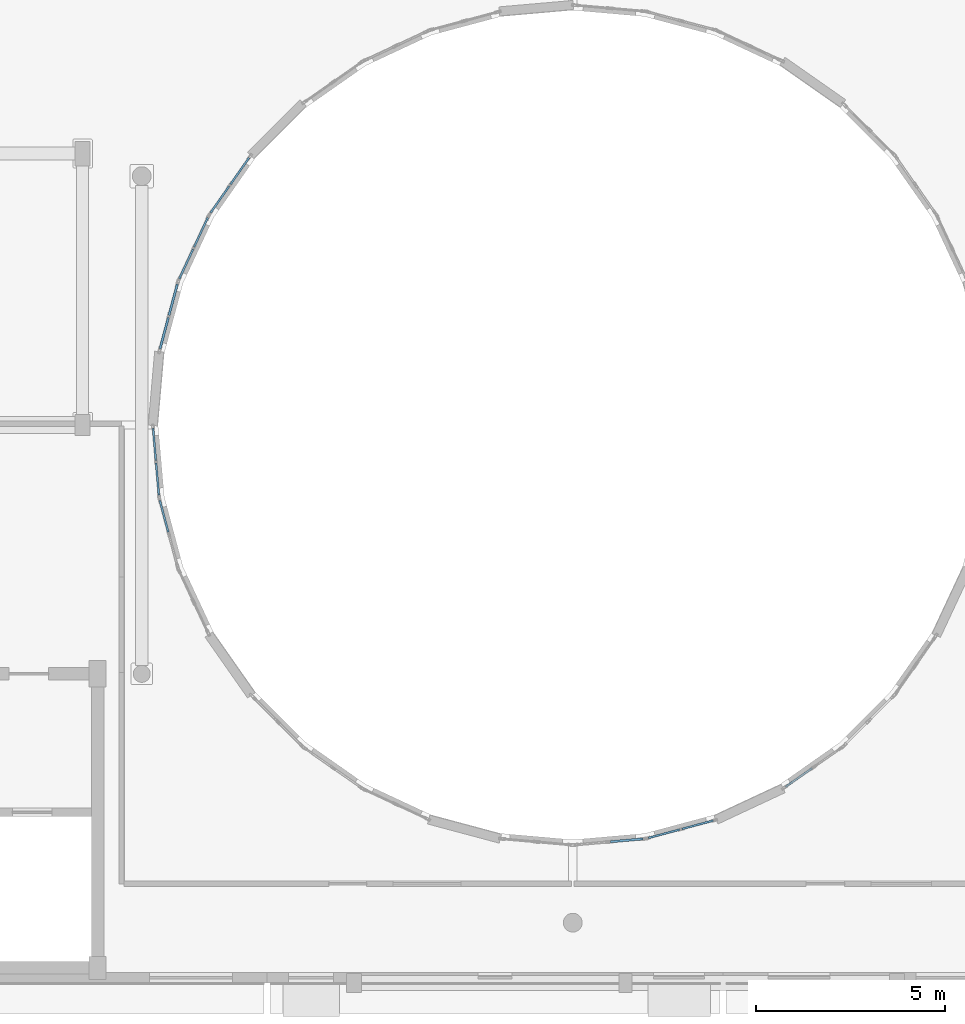
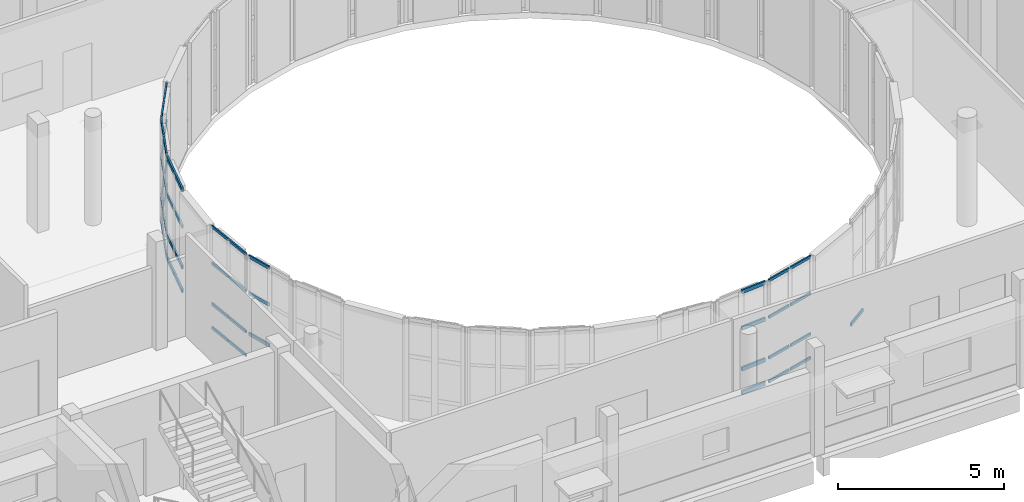
# One storey, part 53 of 105: 48 members, 8 elements without a shape of their own.
"""IFC4 building model written with IfcOpenShell, lengths in metres."""

import ifcopenshell
import ifcopenshell.guid

model = None  # the IFC model being written
_history = None  # IfcOwnerHistory: only IFC2X3 demands one
_inside = {}  # id of a spatial element -> (the spatial element, [elements in it])
_under = {}  # id of a project, library or spatial element -> (it, [spatial elements below it])
_declared = {}  # id of a project -> (the project, [libraries it declares])
_typed = {}  # id of a type object -> (the type object, [elements of that type])
_made_of = {}  # id of a material, layer set ... -> (it, [elements and type objects made of it])


def new_model(schema):
    """Start an empty IFC model of exactly this schema.

    Asked for "IFC4X3", IfcOpenShell would pick the latest addendum, in which some entities
    have other attributes; the version numbers below select the first issue.
    IFC2X3 requires an IfcOwnerHistory on every rooted entity: one is made here for all.
    """
    global model, _history
    if schema == "IFC4X3":
        model = ifcopenshell.file(schema_version=(4, 3, 0, 0))
    else:
        model = ifcopenshell.file(schema=schema)
    _inside.clear()
    _under.clear()
    _declared.clear()
    _typed.clear()
    _made_of.clear()
    _history = None
    if model.schema == "IFC2X3":
        org = make("IfcOrganization", Name="unknown")
        user = make(
            "IfcPersonAndOrganization",
            ThePerson=make("IfcPerson", FamilyName="unknown"),
            TheOrganization=org,
        )
        app = make(
            "IfcApplication",
            ApplicationDeveloper=org,
            Version="unknown",
            ApplicationFullName="unknown",
            ApplicationIdentifier="unknown",
        )
        _history = make(
            "IfcOwnerHistory",
            OwningUser=user,
            OwningApplication=app,
            ChangeAction="ADDED",
            CreationDate=0,
        )
    return model


def make(cls, **values):
    """One entity of the class cls with the attributes given. An attribute that is None is left unset."""
    return model.create_entity(
        cls, **{name: value for name, value in values.items() if value is not None}
    )


def rooted(cls, **values):
    """An entity with a GlobalId (a new one), such as an element, a storey or a relation."""
    return make(cls, GlobalId=ifcopenshell.guid.new(), OwnerHistory=_history, **values)


def si_unit(unit_type, name, prefix=None):
    """IfcSIUnit, for example si_unit("LENGTHUNIT", "METRE", prefix="MILLI")."""
    return make("IfcSIUnit", UnitType=unit_type, Prefix=prefix, Name=name)


def assignment(units):
    """IfcUnitAssignment: the units of a project."""
    return None if units is None else make("IfcUnitAssignment", Units=units)


def point(xyz):
    """IfcCartesianPoint."""
    return None if xyz is None else make("IfcCartesianPoint", Coordinates=xyz)


def direction(xyz):
    """IfcDirection."""
    return None if xyz is None else make("IfcDirection", DirectionRatios=xyz)


def frame(location, z_axis=None, x_axis=None):
    """IfcAxis2Placement3D, a coordinate frame: its origin and axes. An axis left out is left unset."""
    return make(
        "IfcAxis2Placement3D",
        Location=point(location),
        Axis=direction(z_axis),
        RefDirection=direction(x_axis),
    )


def frame_2d(location, x_axis=None):
    """IfcAxis2Placement2D, a coordinate frame in the plane: its origin and x axis."""
    return make(
        "IfcAxis2Placement2D", Location=point(location), RefDirection=direction(x_axis)
    )


def origin():
    """The frame at (0, 0, 0) with its axes left unset."""
    return frame((0.0, 0.0, 0.0))


def origin_2d():
    """The frame at (0, 0) in the plane with its x axis left unset."""
    return frame_2d((0.0, 0.0))


def place(relative_to, where):
    """IfcLocalPlacement: puts the frame where relative to a parent placement (None: the world)."""
    return make(
        "IfcLocalPlacement", PlacementRelTo=relative_to, RelativePlacement=where
    )


def context(
    kind, dimensions, precision=None, world=None, true_north=None, identifier=None
):
    """IfcGeometricRepresentationContext, for example the 3D "Model" context."""
    return make(
        "IfcGeometricRepresentationContext",
        ContextIdentifier=identifier,
        ContextType=kind,
        CoordinateSpaceDimension=dimensions,
        Precision=precision,
        WorldCoordinateSystem=world,
        TrueNorth=true_north,
    )


def subcontext(parent, identifier, kind, view, scale=None):
    """IfcGeometricRepresentationSubContext, for example "Body" below "Model"."""
    return make(
        "IfcGeometricRepresentationSubContext",
        ContextIdentifier=identifier,
        ContextType=kind,
        ParentContext=parent,
        TargetScale=scale,
        TargetView=view,
    )


def project(units=None, contexts=None):
    """IfcProject with its units and contexts."""
    return rooted(
        "IfcProject",
        Name="project",
        RepresentationContexts=contexts,
        UnitsInContext=assignment(units),
    )


def spatial(cls, under=None, at=None, **own):
    """A site, building, storey or space (cls), placed at a placement, below another one or the project."""
    s = rooted(cls, ObjectPlacement=at, **own)
    if under is not None:
        _under.setdefault(under.id(), (under, []))[1].append(s)
    return s


def profile(cls, at=None, kind="AREA", **sizes):
    """A parametric profile (cls). Its sizes go by their IFC names, for example OverallWidth=200.0."""
    return make(cls, ProfileType=kind, Position=at, **sizes)


def hollow_rectangle(**sizes):
    """IfcRectangleHollowProfileDef."""
    return profile("IfcRectangleHollowProfileDef", **sizes)


def extrude(swept, where, along, depth):
    """IfcExtrudedAreaSolid: the profile swept, set in the frame where, extruded along a direction by depth."""
    return make(
        "IfcExtrudedAreaSolid",
        SweptArea=swept,
        Position=where,
        ExtrudedDirection=direction(along),
        Depth=depth,
    )


def shape(context_of_items, identifier, shape_type, items):
    """IfcShapeRepresentation: the items that make up one representation, for example the "Body"."""
    return make(
        "IfcShapeRepresentation",
        ContextOfItems=context_of_items,
        RepresentationIdentifier=identifier,
        RepresentationType=shape_type,
        Items=items,
    )


def material(Name=None, Category=None):
    """IfcMaterial."""
    return make("IfcMaterial", Name=Name, Category=Category)


def layer(
    of_material, thickness, ventilated=None, Name=None, Category=None, Priority=None
):
    """IfcMaterialLayer: one layer of a wall or slab, of a material (None: an air gap)."""
    return make(
        "IfcMaterialLayer",
        Material=of_material,
        LayerThickness=thickness,
        IsVentilated=ventilated,
        Name=Name,
        Category=Category,
        Priority=Priority,
    )


def layer_set(layers, Name=None):
    """IfcMaterialLayerSet."""
    return make("IfcMaterialLayerSet", MaterialLayers=layers, LayerSetName=Name)


def material_profile(
    of_material, cross_section, Name=None, Category=None, Priority=None
):
    """IfcMaterialProfile: a cross section and its material."""
    return make(
        "IfcMaterialProfile",
        Name=Name,
        Material=of_material,
        Profile=cross_section,
        Priority=Priority,
        Category=Category,
    )


def profile_set(profiles, Name=None, composite=None):
    """IfcMaterialProfileSet."""
    return make(
        "IfcMaterialProfileSet",
        Name=Name,
        MaterialProfiles=profiles,
        CompositeProfile=composite,
    )


def made_of(thing, what):
    """Note that an element or type object is made of a material, layer set ...; save() writes the relation."""
    if what is not None:
        _made_of.setdefault(what.id(), (what, []))[1].append(thing)
    return thing


def type_object(cls, material=None, **own):
    """A type object (cls), such as IfcWallType, which elements share."""
    return made_of(rooted(cls, **own), material)


def element(
    cls,
    number,
    at=None,
    inside=None,
    cuts=None,
    type_object=None,
    material=None,
    context=None,
    identifier="Body",
    shape_type=None,
    held_by="IfcProductDefinitionShape",
    body=None,
    shapes=None,
    **own,
):
    """One element of the class cls, such as IfcWall. Its Tag is "e" and its number.

    at: its placement. inside: the storey or other place that contains it. cuts: it is an
    opening in that element (IfcRelVoidsElement). A single representation is given by context,
    identifier, shape_type and body (its items); several are given by shapes. held_by: the class
    of the entity that holds the representations. save() writes the other relations.
    """
    e = rooted(cls, Tag="e%d" % number, ObjectPlacement=at, **own)
    if body is not None:
        shapes = [shape(context, identifier, shape_type, body)]
    if shapes is not None:
        e.Representation = make(held_by, Representations=shapes)
    if inside is not None:
        _inside.setdefault(inside.id(), (inside, []))[1].append(e)
    if cuts is not None:
        rooted(
            "IfcRelVoidsElement", RelatingBuildingElement=cuts, RelatedOpeningElement=e
        )
    if type_object is not None:
        _typed.setdefault(type_object.id(), (type_object, []))[1].append(e)
    return made_of(e, material)


def aggregate(whole, parts):
    """IfcRelAggregates: a whole, such as a stair, and the parts it consists of."""
    return rooted("IfcRelAggregates", RelatingObject=whole, RelatedObjects=parts)


def save(model, path):
    """Write the relations noted so far, then the file.

    IfcRelAggregates (storeys below a building ...), IfcRelContainedInSpatialStructure (elements
    in a storey), IfcRelDefinesByType, IfcRelAssociatesMaterial and IfcRelDeclares: one each for
    every whole, place, type object, material and project.
    """
    for whole, parts in _under.values():
        aggregate(whole, parts)
    for where, things in _inside.values():
        rooted(
            "IfcRelContainedInSpatialStructure",
            RelatedElements=things,
            RelatingStructure=where,
        )
    for kind, things in _typed.values():
        rooted("IfcRelDefinesByType", RelatedObjects=things, RelatingType=kind)
    for what, things in _made_of.values():
        rooted("IfcRelAssociatesMaterial", RelatedObjects=things, RelatingMaterial=what)
    for by, libraries in _declared.values():
        rooted("IfcRelDeclares", RelatingContext=by, RelatedDefinitions=libraries)
    model.write(path)


model = new_model("IFC4")

# Units and contexts
model_context = context("Model", 3, precision=1e-05, world=origin(), true_north=direction((0.0, 1.0)))
body_context = subcontext(model_context, "Body", "Model", "MODEL_VIEW")
ifc_project = project(units=[si_unit("LENGTHUNIT", "METRE"), si_unit("AREAUNIT", "SQUARE_METRE"), si_unit("VOLUMEUNIT", "CUBIC_METRE"), si_unit("PLANEANGLEUNIT", "RADIAN"), si_unit("MASSUNIT", "GRAM", prefix="KILO")], contexts=[model_context])

# Site, building, storey
site_placement = place(None, origin())
site = spatial("IfcSite", under=ifc_project, at=site_placement, CompositionType="ELEMENT")
building_placement = place(site_placement, origin())
building = spatial("IfcBuilding", under=site, at=building_placement, Name="Kelanivale Promenade Academy", CompositionType="ELEMENT")
storey_placement = place(building_placement, frame((0.0, 0.0, 4.199951171875)))
storey = spatial("IfcBuildingStorey", under=building, at=storey_placement, Name="L01", CompositionType="ELEMENT", Elevation=4.199951171875)

# Curtain wall, members
ifc_material_1 = material(Name="Bronze anodised aluminium and solar-control low-E glass", Category="aluminium")
ifc_layer_1 = layer(ifc_material_1, 0.179931640625)
ifc_layer_set_1 = layer_set([ifc_layer_1], Name="Bronze anodised aluminium and solar-control low-E glass")
curtain_wall_type_1 = type_object("IfcCurtainWallType", Name="CW-17 Curtain Wall 1950mm Module", PredefinedType="USERDEFINED", material=ifc_layer_set_1)
curtain_wall_1_placement = place(storey_placement, origin())
curtain_wall_1 = element("IfcCurtainWall", 1, at=curtain_wall_1_placement, inside=storey, type_object=curtain_wall_type_1, Name="L01 courtyard curtain wall CW-17", ObjectType="COURTYARD SCREEN GLAZING", PredefinedType="USERDEFINED")
ifc_material_2 = material(Name="Bronze anodised aluminium EN AW-6063 T6", Category="aluminium")
ifc_material_profile_1 = material_profile(ifc_material_2, hollow_rectangle(XDim=0.050048828125, YDim=0.10009765625, WallThickness=0.0029296875, at=origin_2d()), Name="ALU 50x100x3.0")
ifc_profile_set_1 = profile_set([ifc_material_profile_1], Name="Bronze anodised aluminium EN AW-6063 T6")
member_type_1 = type_object("IfcMemberType", Name="CWT-01 ALU 50x100x3.0", PredefinedType="USERDEFINED", material=ifc_profile_set_1)
member_1_placement = place(storey_placement, frame((52.267333984375, 56.713134765625, 0.025146484375), z_axis=(0.087057898895, -0.996203253478, 0.0), x_axis=(0.996203253478, 0.087057898895, 0.0)))
member_1 = element("IfcMember", 2, at=member_1_placement, type_object=member_type_1, Name="CW-17 transom 1.1", ObjectType="TRANSOM", PredefinedType="USERDEFINED", context=body_context, shape_type="SweptSolid", body=[
    extrude(hollow_rectangle(XDim=0.050048828125, YDim=0.10009765625, WallThickness=0.0029296875, at=origin_2d()), origin(), (0.0, 0.0, 1.0), 0.86083984375),
])
member_2_placement = place(storey_placement, frame((52.267333984375, 56.713134765625, 0.900146484375), z_axis=(0.087057898895, -0.996203253478, 0.0), x_axis=(0.996203253478, 0.087057898895, 0.0)))
member_2 = element("IfcMember", 3, at=member_2_placement, type_object=member_type_1, Name="CW-17 transom 1.2", ObjectType="TRANSOM", PredefinedType="USERDEFINED", context=body_context, shape_type="SweptSolid", body=[
    extrude(hollow_rectangle(XDim=0.050048828125, YDim=0.10009765625, WallThickness=0.0029296875, at=origin_2d()), origin(), (0.0, 0.0, 1.0), 0.86083984375),
])
member_3_placement = place(storey_placement, frame((52.267333984375, 56.713134765625, 2.400146484375), z_axis=(0.087057898895, -0.996203253478, 0.0), x_axis=(0.996203253478, 0.087057898895, 0.0)))
member_3 = element("IfcMember", 4, at=member_3_placement, type_object=member_type_1, Name="CW-17 transom 1.3", ObjectType="TRANSOM", PredefinedType="USERDEFINED", context=body_context, shape_type="SweptSolid", body=[
    extrude(hollow_rectangle(XDim=0.050048828125, YDim=0.10009765625, WallThickness=0.0029296875, at=origin_2d()), origin(), (0.0, 0.0, 1.0), 0.86083984375),
])
member_4_placement = place(storey_placement, frame((52.267333984375, 56.713134765625, 3.755126953125), z_axis=(0.087057898895, -0.996203253478, 0.0), x_axis=(0.996203253478, 0.087057898895, 0.0)))
member_4 = element("IfcMember", 5, at=member_4_placement, type_object=member_type_1, Name="CW-17 transom 1.4", ObjectType="TRANSOM", PredefinedType="USERDEFINED", context=body_context, shape_type="SweptSolid", body=[
    extrude(hollow_rectangle(XDim=0.050048828125, YDim=0.10009765625, WallThickness=0.0029296875, at=origin_2d()), origin(), (0.0, 0.0, 1.0), 0.86083984375),
])
member_5_placement = place(storey_placement, frame((52.34765625, 55.795654296875, 0.025146484375), z_axis=(0.087314650278, -0.996180782713, 0.0), x_axis=(0.996180782713, 0.087314650278, 0.0)))
member_5 = element("IfcMember", 6, at=member_5_placement, type_object=member_type_1, Name="CW-17 transom 2.1", ObjectType="TRANSOM", PredefinedType="USERDEFINED", context=body_context, shape_type="SweptSolid", body=[
    extrude(hollow_rectangle(XDim=0.050048828125, YDim=0.10009765625, WallThickness=0.0029296875, at=origin_2d()), origin(), (0.0, 0.0, 1.0), 0.861083984375),
])
member_6_placement = place(storey_placement, frame((52.34765625, 55.795654296875, 0.900146484375), z_axis=(0.087314650278, -0.996180782713, 0.0), x_axis=(0.996180782713, 0.087314650278, 0.0)))
member_6 = element("IfcMember", 7, at=member_6_placement, type_object=member_type_1, Name="CW-17 transom 2.2", ObjectType="TRANSOM", PredefinedType="USERDEFINED", context=body_context, shape_type="SweptSolid", body=[
    extrude(hollow_rectangle(XDim=0.050048828125, YDim=0.10009765625, WallThickness=0.0029296875, at=origin_2d()), origin(), (0.0, 0.0, 1.0), 0.861083984375),
])
member_7_placement = place(storey_placement, frame((52.34765625, 55.795654296875, 2.400146484375), z_axis=(0.087314650278, -0.996180782713, 0.0), x_axis=(0.996180782713, 0.087314650278, 0.0)))
member_7 = element("IfcMember", 8, at=member_7_placement, type_object=member_type_1, Name="CW-17 transom 2.3", ObjectType="TRANSOM", PredefinedType="USERDEFINED", context=body_context, shape_type="SweptSolid", body=[
    extrude(hollow_rectangle(XDim=0.050048828125, YDim=0.10009765625, WallThickness=0.0029296875, at=origin_2d()), origin(), (0.0, 0.0, 1.0), 0.861083984375),
])
member_8_placement = place(storey_placement, frame((52.34765625, 55.795654296875, 3.755126953125), z_axis=(0.087314650278, -0.996180782713, 0.0), x_axis=(0.996180782713, 0.087314650278, 0.0)))
member_8 = element("IfcMember", 9, at=member_8_placement, type_object=member_type_1, Name="CW-17 transom 2.4", ObjectType="TRANSOM", PredefinedType="USERDEFINED", context=body_context, shape_type="SweptSolid", body=[
    extrude(hollow_rectangle(XDim=0.050048828125, YDim=0.10009765625, WallThickness=0.0029296875, at=origin_2d()), origin(), (0.0, 0.0, 1.0), 0.861083984375),
])
aggregate(curtain_wall_1, [member_1, member_2, member_3, member_4, member_5, member_6, member_7, member_8])

ifc_layer_2 = layer(ifc_material_1, 0.169921875)
ifc_layer_set_2 = layer_set([ifc_layer_2], Name="Bronze anodised aluminium and solar-control low-E glass")
curtain_wall_type_2 = type_object("IfcCurtainWallType", Name="CW-01 Curtain Wall 1350mm Module", PredefinedType="USERDEFINED", material=ifc_layer_set_2)
curtain_wall_2_placement = place(storey_placement, origin())
curtain_wall_2 = element("IfcCurtainWall", 10, at=curtain_wall_2_placement, inside=storey, type_object=curtain_wall_type_2, Name="L01 courtyard curtain wall CW-01", ObjectType="UNITISED GLAZING", PredefinedType="USERDEFINED")
member_9_placement = place(storey_placement, frame((65.404052734375, 45.847412109375, 0.025146484375), z_axis=(0.965937931187, 0.258773864781, 0.0), x_axis=(-0.258773864781, 0.965937931187, 0.0)))
member_9 = element("IfcMember", 11, at=member_9_placement, type_object=member_type_1, Name="CW-01 transom 1.1", ObjectType="TRANSOM", PredefinedType="USERDEFINED", context=body_context, shape_type="SweptSolid", body=[
    extrude(hollow_rectangle(XDim=0.050048828125, YDim=0.10009765625, WallThickness=0.0029296875, at=origin_2d()), origin(), (0.0, 0.0, 1.0), 0.861328125),
])
member_10_placement = place(storey_placement, frame((65.404052734375, 45.847412109375, 0.900146484375), z_axis=(0.965937931187, 0.258773864781, 0.0), x_axis=(-0.258773864781, 0.965937931187, 0.0)))
member_10 = element("IfcMember", 12, at=member_10_placement, type_object=member_type_1, Name="CW-01 transom 1.2", ObjectType="TRANSOM", PredefinedType="USERDEFINED", context=body_context, shape_type="SweptSolid", body=[
    extrude(hollow_rectangle(XDim=0.050048828125, YDim=0.10009765625, WallThickness=0.0029296875, at=origin_2d()), origin(), (0.0, 0.0, 1.0), 0.861328125),
])
member_11_placement = place(storey_placement, frame((65.404052734375, 45.847412109375, 2.400146484375), z_axis=(0.965937931187, 0.258773864781, 0.0), x_axis=(-0.258773864781, 0.965937931187, 0.0)))
member_11 = element("IfcMember", 13, at=member_11_placement, type_object=member_type_1, Name="CW-01 transom 1.3", ObjectType="TRANSOM", PredefinedType="USERDEFINED", context=body_context, shape_type="SweptSolid", body=[
    extrude(hollow_rectangle(XDim=0.050048828125, YDim=0.10009765625, WallThickness=0.0029296875, at=origin_2d()), origin(), (0.0, 0.0, 1.0), 0.861328125),
])
member_12_placement = place(storey_placement, frame((65.404052734375, 45.847412109375, 3.755126953125), z_axis=(0.965937931187, 0.258773864781, 0.0), x_axis=(-0.258773864781, 0.965937931187, 0.0)))
member_12 = element("IfcMember", 14, at=member_12_placement, type_object=member_type_1, Name="CW-01 transom 1.4", ObjectType="TRANSOM", PredefinedType="USERDEFINED", context=body_context, shape_type="SweptSolid", body=[
    extrude(hollow_rectangle(XDim=0.050048828125, YDim=0.10009765625, WallThickness=0.0029296875, at=origin_2d()), origin(), (0.0, 0.0, 1.0), 0.861328125),
])
member_13_placement = place(storey_placement, frame((66.2939453125, 46.085693359375, 0.025146484375), z_axis=(0.965937931187, 0.258773864781, 0.0), x_axis=(-0.258773864781, 0.965937931187, 0.0)))
member_13 = element("IfcMember", 15, at=member_13_placement, type_object=member_type_1, Name="CW-01 transom 2.1", ObjectType="TRANSOM", PredefinedType="USERDEFINED", context=body_context, shape_type="SweptSolid", body=[
    extrude(hollow_rectangle(XDim=0.050048828125, YDim=0.10009765625, WallThickness=0.0029296875, at=origin_2d()), origin(), (0.0, 0.0, 1.0), 0.861328125),
])
member_14_placement = place(storey_placement, frame((66.2939453125, 46.085693359375, 0.900146484375), z_axis=(0.965937931187, 0.258773864781, 0.0), x_axis=(-0.258773864781, 0.965937931187, 0.0)))
member_14 = element("IfcMember", 16, at=member_14_placement, type_object=member_type_1, Name="CW-01 transom 2.2", ObjectType="TRANSOM", PredefinedType="USERDEFINED", context=body_context, shape_type="SweptSolid", body=[
    extrude(hollow_rectangle(XDim=0.050048828125, YDim=0.10009765625, WallThickness=0.0029296875, at=origin_2d()), origin(), (0.0, 0.0, 1.0), 0.861328125),
])
member_15_placement = place(storey_placement, frame((66.2939453125, 46.085693359375, 2.400146484375), z_axis=(0.965937931187, 0.258773864781, 0.0), x_axis=(-0.258773864781, 0.965937931187, 0.0)))
member_15 = element("IfcMember", 17, at=member_15_placement, type_object=member_type_1, Name="CW-01 transom 2.3", ObjectType="TRANSOM", PredefinedType="USERDEFINED", context=body_context, shape_type="SweptSolid", body=[
    extrude(hollow_rectangle(XDim=0.050048828125, YDim=0.10009765625, WallThickness=0.0029296875, at=origin_2d()), origin(), (0.0, 0.0, 1.0), 0.861328125),
])
member_16_placement = place(storey_placement, frame((66.2939453125, 46.085693359375, 3.755126953125), z_axis=(0.965937931187, 0.258773864781, 0.0), x_axis=(-0.258773864781, 0.965937931187, 0.0)))
member_16 = element("IfcMember", 18, at=member_16_placement, type_object=member_type_1, Name="CW-01 transom 2.4", ObjectType="TRANSOM", PredefinedType="USERDEFINED", context=body_context, shape_type="SweptSolid", body=[
    extrude(hollow_rectangle(XDim=0.050048828125, YDim=0.10009765625, WallThickness=0.0029296875, at=origin_2d()), origin(), (0.0, 0.0, 1.0), 0.861328125),
])
aggregate(curtain_wall_2, [member_9, member_10, member_11, member_12, member_13, member_14, member_15, member_16])

ifc_layer_3 = layer(ifc_material_1, 0.179931640625)
ifc_layer_set_3 = layer_set([ifc_layer_3], Name="Bronze anodised aluminium and solar-control low-E glass")
curtain_wall_type_3 = type_object("IfcCurtainWallType", Name="CW-14 Curtain Wall 1500mm Module", PredefinedType="USERDEFINED", material=ifc_layer_set_3)
curtain_wall_3_placement = place(storey_placement, origin())
curtain_wall_3 = element("IfcCurtainWall", 19, at=curtain_wall_3_placement, inside=storey, type_object=curtain_wall_type_3, Name="L01 courtyard curtain wall CW-14", ObjectType="COURTYARD SCREEN GLAZING", PredefinedType="USERDEFINED")
ifc_material_profile_2 = material_profile(ifc_material_2, hollow_rectangle(XDim=0.050048828125, YDim=0.1201171875, WallThickness=0.0029296875, at=origin_2d()), Name="ALU 50x120x3.0")
ifc_profile_set_2 = profile_set([ifc_material_profile_2], Name="Bronze anodised aluminium EN AW-6063 T6")
member_type_2 = type_object("IfcMemberType", Name="CWT-02 ALU 50x120x3.0", PredefinedType="USERDEFINED", material=ifc_profile_set_2)
member_17_placement = place(storey_placement, frame((54.815673828125, 63.889892578125, 0.025146484375), z_axis=(-0.573329193297, -0.819325110144, 0.0), x_axis=(0.819325110144, -0.573329193297, 0.0)))
member_17 = element("IfcMember", 20, at=member_17_placement, type_object=member_type_2, Name="CW-14 transom 1.1", ObjectType="TRANSOM", PredefinedType="USERDEFINED", context=body_context, shape_type="SweptSolid", body=[
    extrude(hollow_rectangle(XDim=0.050048828125, YDim=0.1201171875, WallThickness=0.0029296875, at=origin_2d()), origin(), (0.0, 0.0, 1.0), 0.861572265625),
])
member_18_placement = place(storey_placement, frame((54.815673828125, 63.889892578125, 0.900146484375), z_axis=(-0.573329193297, -0.819325110144, 0.0), x_axis=(0.819325110144, -0.573329193297, 0.0)))
member_18 = element("IfcMember", 21, at=member_18_placement, type_object=member_type_2, Name="CW-14 transom 1.2", ObjectType="TRANSOM", PredefinedType="USERDEFINED", context=body_context, shape_type="SweptSolid", body=[
    extrude(hollow_rectangle(XDim=0.050048828125, YDim=0.1201171875, WallThickness=0.0029296875, at=origin_2d()), origin(), (0.0, 0.0, 1.0), 0.861572265625),
])
member_19_placement = place(storey_placement, frame((54.815673828125, 63.889892578125, 2.400146484375), z_axis=(-0.573329193297, -0.819325110144, 0.0), x_axis=(0.819325110144, -0.573329193297, 0.0)))
member_19 = element("IfcMember", 22, at=member_19_placement, type_object=member_type_2, Name="CW-14 transom 1.3", ObjectType="TRANSOM", PredefinedType="USERDEFINED", context=body_context, shape_type="SweptSolid", body=[
    extrude(hollow_rectangle(XDim=0.050048828125, YDim=0.1201171875, WallThickness=0.0029296875, at=origin_2d()), origin(), (0.0, 0.0, 1.0), 0.861572265625),
])
member_20_placement = place(storey_placement, frame((54.815673828125, 63.889892578125, 3.755126953125), z_axis=(-0.573329193297, -0.819325110144, 0.0), x_axis=(0.819325110144, -0.573329193297, 0.0)))
member_20 = element("IfcMember", 23, at=member_20_placement, type_object=member_type_2, Name="CW-14 transom 1.4", ObjectType="TRANSOM", PredefinedType="USERDEFINED", context=body_context, shape_type="SweptSolid", body=[
    extrude(hollow_rectangle(XDim=0.050048828125, YDim=0.1201171875, WallThickness=0.0029296875, at=origin_2d()), origin(), (0.0, 0.0, 1.0), 0.861572265625),
])
member_21_placement = place(storey_placement, frame((54.287353515625, 63.135009765625, 0.025146484375), z_axis=(-0.573329193297, -0.819325110144, 0.0), x_axis=(0.819325110144, -0.573329193297, 0.0)))
member_21 = element("IfcMember", 24, at=member_21_placement, type_object=member_type_2, Name="CW-14 transom 2.1", ObjectType="TRANSOM", PredefinedType="USERDEFINED", context=body_context, shape_type="SweptSolid", body=[
    extrude(hollow_rectangle(XDim=0.050048828125, YDim=0.1201171875, WallThickness=0.0029296875, at=origin_2d()), origin(), (0.0, 0.0, 1.0), 0.861572265625),
])
member_22_placement = place(storey_placement, frame((54.287353515625, 63.135009765625, 0.900146484375), z_axis=(-0.573329193297, -0.819325110144, 0.0), x_axis=(0.819325110144, -0.573329193297, 0.0)))
member_22 = element("IfcMember", 25, at=member_22_placement, type_object=member_type_2, Name="CW-14 transom 2.2", ObjectType="TRANSOM", PredefinedType="USERDEFINED", context=body_context, shape_type="SweptSolid", body=[
    extrude(hollow_rectangle(XDim=0.050048828125, YDim=0.1201171875, WallThickness=0.0029296875, at=origin_2d()), origin(), (0.0, 0.0, 1.0), 0.861572265625),
])
member_23_placement = place(storey_placement, frame((54.287353515625, 63.135009765625, 2.400146484375), z_axis=(-0.573329193297, -0.819325110144, 0.0), x_axis=(0.819325110144, -0.573329193297, 0.0)))
member_23 = element("IfcMember", 26, at=member_23_placement, type_object=member_type_2, Name="CW-14 transom 2.3", ObjectType="TRANSOM", PredefinedType="USERDEFINED", context=body_context, shape_type="SweptSolid", body=[
    extrude(hollow_rectangle(XDim=0.050048828125, YDim=0.1201171875, WallThickness=0.0029296875, at=origin_2d()), origin(), (0.0, 0.0, 1.0), 0.861572265625),
])
member_24_placement = place(storey_placement, frame((54.287353515625, 63.135009765625, 3.755126953125), z_axis=(-0.573329193297, -0.819325110144, 0.0), x_axis=(0.819325110144, -0.573329193297, 0.0)))
member_24 = element("IfcMember", 27, at=member_24_placement, type_object=member_type_2, Name="CW-14 transom 2.4", ObjectType="TRANSOM", PredefinedType="USERDEFINED", context=body_context, shape_type="SweptSolid", body=[
    extrude(hollow_rectangle(XDim=0.050048828125, YDim=0.1201171875, WallThickness=0.0029296875, at=origin_2d()), origin(), (0.0, 0.0, 1.0), 0.861572265625),
])
aggregate(curtain_wall_3, [member_17, member_18, member_19, member_20, member_21, member_22, member_23, member_24])

ifc_layer_4 = layer(ifc_material_1, 0.159912109375)
ifc_layer_set_4 = layer_set([ifc_layer_4], Name="Bronze anodised aluminium and solar-control low-E glass")
curtain_wall_type_4 = type_object("IfcCurtainWallType", Name="CW-18 Curtain Wall 1200mm Module", PredefinedType="USERDEFINED", material=ifc_layer_set_4)
curtain_wall_4_placement = place(storey_placement, origin())
curtain_wall_4 = element("IfcCurtainWall", 28, at=curtain_wall_4_placement, inside=storey, type_object=curtain_wall_type_4, Name="L01 courtyard curtain wall CW-18", ObjectType="COURTYARD SCREEN GLAZING", PredefinedType="USERDEFINED")
member_25_placement = place(storey_placement, frame((52.447509765625, 54.796142578125, 0.900146484375), z_axis=(0.258572180527, -0.965991939644, 0.0), x_axis=(0.965991939644, 0.258572180527, 0.0)))
member_25 = element("IfcMember", 29, at=member_25_placement, type_object=member_type_2, Name="CW-18 transom 1.2", ObjectType="TRANSOM", PredefinedType="USERDEFINED", context=body_context, shape_type="SweptSolid", body=[
    extrude(hollow_rectangle(XDim=0.050048828125, YDim=0.1201171875, WallThickness=0.0029296875, at=origin_2d()), origin(), (0.0, 0.0, 1.0), 0.86865234375),
])
member_26_placement = place(storey_placement, frame((52.447509765625, 54.796142578125, 2.400146484375), z_axis=(0.258572180527, -0.965991939644, 0.0), x_axis=(0.965991939644, 0.258572180527, 0.0)))
member_26 = element("IfcMember", 30, at=member_26_placement, type_object=member_type_2, Name="CW-18 transom 1.3", ObjectType="TRANSOM", PredefinedType="USERDEFINED", context=body_context, shape_type="SweptSolid", body=[
    extrude(hollow_rectangle(XDim=0.050048828125, YDim=0.1201171875, WallThickness=0.0029296875, at=origin_2d()), origin(), (0.0, 0.0, 1.0), 0.86865234375),
])
member_27_placement = place(storey_placement, frame((52.447509765625, 54.796142578125, 3.755126953125), z_axis=(0.258572180527, -0.965991939644, 0.0), x_axis=(0.965991939644, 0.258572180527, 0.0)))
member_27 = element("IfcMember", 31, at=member_27_placement, type_object=member_type_2, Name="CW-18 transom 1.4", ObjectType="TRANSOM", PredefinedType="USERDEFINED", context=body_context, shape_type="SweptSolid", body=[
    extrude(hollow_rectangle(XDim=0.050048828125, YDim=0.1201171875, WallThickness=0.0029296875, at=origin_2d()), origin(), (0.0, 0.0, 1.0), 0.86865234375),
])
aggregate(curtain_wall_4, [member_25, member_26, member_27])

# Curtain wall, member
ifc_layer_5 = layer(ifc_material_1, 0.179931640625)
ifc_layer_set_5 = layer_set([ifc_layer_5], Name="Bronze anodised aluminium and solar-control low-E glass")
curtain_wall_type_5 = type_object("IfcCurtainWallType", Name="CW-02 Curtain Wall 1500mm Module", PredefinedType="USERDEFINED", material=ifc_layer_set_5)
curtain_wall_5_placement = place(storey_placement, origin())
curtain_wall_5 = element("IfcCurtainWall", 32, at=curtain_wall_5_placement, inside=storey, type_object=curtain_wall_type_5, Name="L01 courtyard curtain wall CW-02", ObjectType="UNITISED GLAZING", PredefinedType="USERDEFINED")
member_28_placement = place(storey_placement, frame((69.041259765625, 47.202392578125, 0.025146484375), z_axis=(0.819231920519, 0.573462344363, 0.0), x_axis=(-0.573462344363, 0.819231920519, 0.0)))
member_28 = element("IfcMember", 33, at=member_28_placement, type_object=member_type_2, Name="CW-02 transom 1.1", ObjectType="TRANSOM", PredefinedType="USERDEFINED", context=body_context, shape_type="SweptSolid", body=[
    extrude(hollow_rectangle(XDim=0.050048828125, YDim=0.1201171875, WallThickness=0.0029296875, at=origin_2d()), origin(), (0.0, 0.0, 1.0), 0.861328125),
])
aggregate(curtain_wall_5, [member_28])

# Curtain wall, members
ifc_layer_6 = layer(ifc_material_1, 0.159912109375)
ifc_layer_set_6 = layer_set([ifc_layer_6], Name="Bronze anodised aluminium and solar-control low-E glass")
curtain_wall_type_6 = type_object("IfcCurtainWallType", Name="CW-15 Curtain Wall 1650mm Module", PredefinedType="USERDEFINED", material=ifc_layer_set_6)
curtain_wall_6_placement = place(storey_placement, origin())
curtain_wall_6 = element("IfcCurtainWall", 34, at=curtain_wall_6_placement, inside=storey, type_object=curtain_wall_type_6, Name="L01 courtyard curtain wall CW-15", ObjectType="COURTYARD SCREEN GLAZING", PredefinedType="USERDEFINED")
ifc_material_profile_3 = material_profile(ifc_material_2, hollow_rectangle(XDim=0.050048828125, YDim=0.14990234375, WallThickness=0.00341796875, at=origin_2d()), Name="ALU 50x150x3.5")
ifc_profile_set_3 = profile_set([ifc_material_profile_3], Name="Bronze anodised aluminium EN AW-6063 T6")
member_type_3 = type_object("IfcMemberType", Name="CWT-03 ALU 50x150x3.5", PredefinedType="USERDEFINED", material=ifc_profile_set_3)
member_29_placement = place(storey_placement, frame((53.719482421875, 62.300048828125, 0.025146484375), z_axis=(-0.422900982369, -0.906175898549, 0.0), x_axis=(0.906175898549, -0.422900982369, 0.0)))
member_29 = element("IfcMember", 35, at=member_29_placement, type_object=member_type_3, Name="CW-15 transom 1.1", ObjectType="TRANSOM", PredefinedType="USERDEFINED", context=body_context, shape_type="SweptSolid", body=[
    extrude(hollow_rectangle(XDim=0.050048828125, YDim=0.14990234375, WallThickness=0.00341796875, at=origin_2d()), origin(), (0.0, 0.0, 1.0), 0.861328125),
])
member_30_placement = place(storey_placement, frame((53.719482421875, 62.300048828125, 0.900146484375), z_axis=(-0.422900982369, -0.906175898549, 0.0), x_axis=(0.906175898549, -0.422900982369, 0.0)))
member_30 = element("IfcMember", 36, at=member_30_placement, type_object=member_type_3, Name="CW-15 transom 1.2", ObjectType="TRANSOM", PredefinedType="USERDEFINED", context=body_context, shape_type="SweptSolid", body=[
    extrude(hollow_rectangle(XDim=0.050048828125, YDim=0.14990234375, WallThickness=0.00341796875, at=origin_2d()), origin(), (0.0, 0.0, 1.0), 0.861328125),
])
member_31_placement = place(storey_placement, frame((53.719482421875, 62.300048828125, 2.400146484375), z_axis=(-0.422900982369, -0.906175898549, 0.0), x_axis=(0.906175898549, -0.422900982369, 0.0)))
member_31 = element("IfcMember", 37, at=member_31_placement, type_object=member_type_3, Name="CW-15 transom 1.3", ObjectType="TRANSOM", PredefinedType="USERDEFINED", context=body_context, shape_type="SweptSolid", body=[
    extrude(hollow_rectangle(XDim=0.050048828125, YDim=0.14990234375, WallThickness=0.00341796875, at=origin_2d()), origin(), (0.0, 0.0, 1.0), 0.861328125),
])
member_32_placement = place(storey_placement, frame((53.719482421875, 62.300048828125, 3.755126953125), z_axis=(-0.422900982369, -0.906175898549, 0.0), x_axis=(0.906175898549, -0.422900982369, 0.0)))
member_32 = element("IfcMember", 38, at=member_32_placement, type_object=member_type_3, Name="CW-15 transom 1.4", ObjectType="TRANSOM", PredefinedType="USERDEFINED", context=body_context, shape_type="SweptSolid", body=[
    extrude(hollow_rectangle(XDim=0.050048828125, YDim=0.14990234375, WallThickness=0.00341796875, at=origin_2d()), origin(), (0.0, 0.0, 1.0), 0.861328125),
])
member_33_placement = place(storey_placement, frame((53.32763671875, 61.46044921875, 0.025146484375), z_axis=(-0.422900982369, -0.906175898549, 0.0), x_axis=(0.906175898549, -0.422900982369, 0.0)))
member_33 = element("IfcMember", 39, at=member_33_placement, type_object=member_type_3, Name="CW-15 transom 2.1", ObjectType="TRANSOM", PredefinedType="USERDEFINED", context=body_context, shape_type="SweptSolid", body=[
    extrude(hollow_rectangle(XDim=0.050048828125, YDim=0.14990234375, WallThickness=0.00341796875, at=origin_2d()), origin(), (0.0, 0.0, 1.0), 0.861328125),
])
member_34_placement = place(storey_placement, frame((53.32763671875, 61.46044921875, 0.900146484375), z_axis=(-0.422900982369, -0.906175898549, 0.0), x_axis=(0.906175898549, -0.422900982369, 0.0)))
member_34 = element("IfcMember", 40, at=member_34_placement, type_object=member_type_3, Name="CW-15 transom 2.2", ObjectType="TRANSOM", PredefinedType="USERDEFINED", context=body_context, shape_type="SweptSolid", body=[
    extrude(hollow_rectangle(XDim=0.050048828125, YDim=0.14990234375, WallThickness=0.00341796875, at=origin_2d()), origin(), (0.0, 0.0, 1.0), 0.861328125),
])
member_35_placement = place(storey_placement, frame((53.32763671875, 61.46044921875, 2.400146484375), z_axis=(-0.422900982369, -0.906175898549, 0.0), x_axis=(0.906175898549, -0.422900982369, 0.0)))
member_35 = element("IfcMember", 41, at=member_35_placement, type_object=member_type_3, Name="CW-15 transom 2.3", ObjectType="TRANSOM", PredefinedType="USERDEFINED", context=body_context, shape_type="SweptSolid", body=[
    extrude(hollow_rectangle(XDim=0.050048828125, YDim=0.14990234375, WallThickness=0.00341796875, at=origin_2d()), origin(), (0.0, 0.0, 1.0), 0.861328125),
])
member_36_placement = place(storey_placement, frame((53.32763671875, 61.46044921875, 3.755126953125), z_axis=(-0.422900982369, -0.906175898549, 0.0), x_axis=(0.906175898549, -0.422900982369, 0.0)))
member_36 = element("IfcMember", 42, at=member_36_placement, type_object=member_type_3, Name="CW-15 transom 2.4", ObjectType="TRANSOM", PredefinedType="USERDEFINED", context=body_context, shape_type="SweptSolid", body=[
    extrude(hollow_rectangle(XDim=0.050048828125, YDim=0.14990234375, WallThickness=0.00341796875, at=origin_2d()), origin(), (0.0, 0.0, 1.0), 0.861328125),
])
aggregate(curtain_wall_6, [member_29, member_30, member_31, member_32, member_33, member_34, member_35, member_36])

ifc_layer_7 = layer(ifc_material_1, 0.169921875)
ifc_layer_set_7 = layer_set([ifc_layer_7], Name="Bronze anodised aluminium and solar-control low-E glass")
curtain_wall_type_7 = type_object("IfcCurtainWallType", Name="CW-16 Curtain Wall 1800mm Module", PredefinedType="USERDEFINED", material=ifc_layer_set_7)
curtain_wall_7_placement = place(storey_placement, origin())
curtain_wall_7 = element("IfcCurtainWall", 43, at=curtain_wall_7_placement, inside=storey, type_object=curtain_wall_type_7, Name="L01 courtyard curtain wall CW-16", ObjectType="COURTYARD SCREEN GLAZING", PredefinedType="USERDEFINED")
ifc_material_profile_4 = material_profile(ifc_material_2, hollow_rectangle(XDim=0.06005859375, YDim=0.139892578125, WallThickness=0.00341796875, at=origin_2d()), Name="ALU 60x140x3.5")
ifc_profile_set_4 = profile_set([ifc_material_profile_4], Name="Bronze anodised aluminium EN AW-6063 T6")
member_type_4 = type_object("IfcMemberType", Name="CWT-04 ALU 60x140x3.5", PredefinedType="USERDEFINED", material=ifc_profile_set_4)
member_37_placement = place(storey_placement, frame((52.9111328125, 60.53515625, 0.030029296875), z_axis=(-0.258516900111, -0.966006735151, 0.0), x_axis=(0.966006735151, -0.258516900111, 0.0)))
member_37 = element("IfcMember", 44, at=member_37_placement, type_object=member_type_4, Name="CW-16 transom 1.1", ObjectType="TRANSOM", PredefinedType="USERDEFINED", context=body_context, shape_type="SweptSolid", body=[
    extrude(hollow_rectangle(XDim=0.06005859375, YDim=0.139892578125, WallThickness=0.00341796875, at=origin_2d()), origin(), (0.0, 0.0, 1.0), 0.853759765625),
])
member_38_placement = place(storey_placement, frame((52.9111328125, 60.53515625, 0.900146484375), z_axis=(-0.258516900111, -0.966006735151, 0.0), x_axis=(0.966006735151, -0.258516900111, 0.0)))
member_38 = element("IfcMember", 45, at=member_38_placement, type_object=member_type_4, Name="CW-16 transom 1.2", ObjectType="TRANSOM", PredefinedType="USERDEFINED", context=body_context, shape_type="SweptSolid", body=[
    extrude(hollow_rectangle(XDim=0.06005859375, YDim=0.139892578125, WallThickness=0.00341796875, at=origin_2d()), origin(), (0.0, 0.0, 1.0), 0.853759765625),
])
member_39_placement = place(storey_placement, frame((52.9111328125, 60.53515625, 2.400146484375), z_axis=(-0.258516900111, -0.966006735151, 0.0), x_axis=(0.966006735151, -0.258516900111, 0.0)))
member_39 = element("IfcMember", 46, at=member_39_placement, type_object=member_type_4, Name="CW-16 transom 1.3", ObjectType="TRANSOM", PredefinedType="USERDEFINED", context=body_context, shape_type="SweptSolid", body=[
    extrude(hollow_rectangle(XDim=0.06005859375, YDim=0.139892578125, WallThickness=0.00341796875, at=origin_2d()), origin(), (0.0, 0.0, 1.0), 0.853759765625),
])
member_40_placement = place(storey_placement, frame((52.9111328125, 60.53515625, 3.75), z_axis=(-0.258516900111, -0.966006735151, 0.0), x_axis=(0.966006735151, -0.258516900111, 0.0)))
member_40 = element("IfcMember", 47, at=member_40_placement, type_object=member_type_4, Name="CW-16 transom 1.4", ObjectType="TRANSOM", PredefinedType="USERDEFINED", context=body_context, shape_type="SweptSolid", body=[
    extrude(hollow_rectangle(XDim=0.06005859375, YDim=0.139892578125, WallThickness=0.00341796875, at=origin_2d()), origin(), (0.0, 0.0, 1.0), 0.853759765625),
])
member_41_placement = place(storey_placement, frame((52.673583984375, 59.647705078125, 0.030029296875), z_axis=(-0.258445504102, -0.966025838893, 0.0), x_axis=(0.966025838893, -0.258445504102, 0.0)))
member_41 = element("IfcMember", 48, at=member_41_placement, type_object=member_type_4, Name="CW-16 transom 2.1", ObjectType="TRANSOM", PredefinedType="USERDEFINED", context=body_context, shape_type="SweptSolid", body=[
    extrude(hollow_rectangle(XDim=0.06005859375, YDim=0.139892578125, WallThickness=0.00341796875, at=origin_2d()), origin(), (0.0, 0.0, 1.0), 0.85400390625),
])
member_42_placement = place(storey_placement, frame((52.673583984375, 59.647705078125, 0.900146484375), z_axis=(-0.258445504102, -0.966025838893, 0.0), x_axis=(0.966025838893, -0.258445504102, 0.0)))
member_42 = element("IfcMember", 49, at=member_42_placement, type_object=member_type_4, Name="CW-16 transom 2.2", ObjectType="TRANSOM", PredefinedType="USERDEFINED", context=body_context, shape_type="SweptSolid", body=[
    extrude(hollow_rectangle(XDim=0.06005859375, YDim=0.139892578125, WallThickness=0.00341796875, at=origin_2d()), origin(), (0.0, 0.0, 1.0), 0.85400390625),
])
member_43_placement = place(storey_placement, frame((52.673583984375, 59.647705078125, 2.400146484375), z_axis=(-0.258445504102, -0.966025838893, 0.0), x_axis=(0.966025838893, -0.258445504102, 0.0)))
member_43 = element("IfcMember", 50, at=member_43_placement, type_object=member_type_4, Name="CW-16 transom 2.3", ObjectType="TRANSOM", PredefinedType="USERDEFINED", context=body_context, shape_type="SweptSolid", body=[
    extrude(hollow_rectangle(XDim=0.06005859375, YDim=0.139892578125, WallThickness=0.00341796875, at=origin_2d()), origin(), (0.0, 0.0, 1.0), 0.85400390625),
])
member_44_placement = place(storey_placement, frame((52.673583984375, 59.647705078125, 3.75), z_axis=(-0.258445504102, -0.966025838893, 0.0), x_axis=(0.966025838893, -0.258445504102, 0.0)))
member_44 = element("IfcMember", 51, at=member_44_placement, type_object=member_type_4, Name="CW-16 transom 2.4", ObjectType="TRANSOM", PredefinedType="USERDEFINED", context=body_context, shape_type="SweptSolid", body=[
    extrude(hollow_rectangle(XDim=0.06005859375, YDim=0.139892578125, WallThickness=0.00341796875, at=origin_2d()), origin(), (0.0, 0.0, 1.0), 0.85400390625),
])
aggregate(curtain_wall_7, [member_37, member_38, member_39, member_40, member_41, member_42, member_43, member_44])

ifc_layer_8 = layer(ifc_material_1, 0.159912109375)
ifc_layer_set_8 = layer_set([ifc_layer_8], Name="Bronze anodised aluminium and solar-control low-E glass")
curtain_wall_type_8 = type_object("IfcCurtainWallType", Name="CW-24 Curtain Wall 1200mm Module", PredefinedType="USERDEFINED", material=ifc_layer_set_8)
curtain_wall_8_placement = place(storey_placement, origin())
curtain_wall_8 = element("IfcCurtainWall", 52, at=curtain_wall_8_placement, inside=storey, type_object=curtain_wall_type_8, Name="L01 courtyard curtain wall CW-24", ObjectType="COURTYARD SCREEN GLAZING", PredefinedType="USERDEFINED")
member_45_placement = place(storey_placement, frame((64.3994140625, 45.747314453125, 0.030029296875), z_axis=(0.996205401814, 0.087033311997, 0.0), x_axis=(-0.087033311997, 0.996205401814, 0.0)))
member_45 = element("IfcMember", 53, at=member_45_placement, type_object=member_type_4, Name="CW-24 transom 2.1", ObjectType="TRANSOM", PredefinedType="USERDEFINED", context=body_context, shape_type="SweptSolid", body=[
    extrude(hollow_rectangle(XDim=0.06005859375, YDim=0.139892578125, WallThickness=0.00341796875, at=origin_2d()), origin(), (0.0, 0.0, 1.0), 0.861083984375),
])
member_46_placement = place(storey_placement, frame((64.3994140625, 45.747314453125, 0.900146484375), z_axis=(0.996205401814, 0.087033311997, 0.0), x_axis=(-0.087033311997, 0.996205401814, 0.0)))
member_46 = element("IfcMember", 54, at=member_46_placement, type_object=member_type_4, Name="CW-24 transom 2.2", ObjectType="TRANSOM", PredefinedType="USERDEFINED", context=body_context, shape_type="SweptSolid", body=[
    extrude(hollow_rectangle(XDim=0.06005859375, YDim=0.139892578125, WallThickness=0.00341796875, at=origin_2d()), origin(), (0.0, 0.0, 1.0), 0.861083984375),
])
member_47_placement = place(storey_placement, frame((64.3994140625, 45.747314453125, 2.400146484375), z_axis=(0.996205401814, 0.087033311997, 0.0), x_axis=(-0.087033311997, 0.996205401814, 0.0)))
member_47 = element("IfcMember", 55, at=member_47_placement, type_object=member_type_4, Name="CW-24 transom 2.3", ObjectType="TRANSOM", PredefinedType="USERDEFINED", context=body_context, shape_type="SweptSolid", body=[
    extrude(hollow_rectangle(XDim=0.06005859375, YDim=0.139892578125, WallThickness=0.00341796875, at=origin_2d()), origin(), (0.0, 0.0, 1.0), 0.861083984375),
])
member_48_placement = place(storey_placement, frame((64.3994140625, 45.747314453125, 3.75), z_axis=(0.996205401814, 0.087033311997, 0.0), x_axis=(-0.087033311997, 0.996205401814, 0.0)))
member_48 = element("IfcMember", 56, at=member_48_placement, type_object=member_type_4, Name="CW-24 transom 2.4", ObjectType="TRANSOM", PredefinedType="USERDEFINED", context=body_context, shape_type="SweptSolid", body=[
    extrude(hollow_rectangle(XDim=0.06005859375, YDim=0.139892578125, WallThickness=0.00341796875, at=origin_2d()), origin(), (0.0, 0.0, 1.0), 0.861083984375),
])
aggregate(curtain_wall_8, [member_45, member_46, member_47, member_48])

save(model, "model.ifc")
